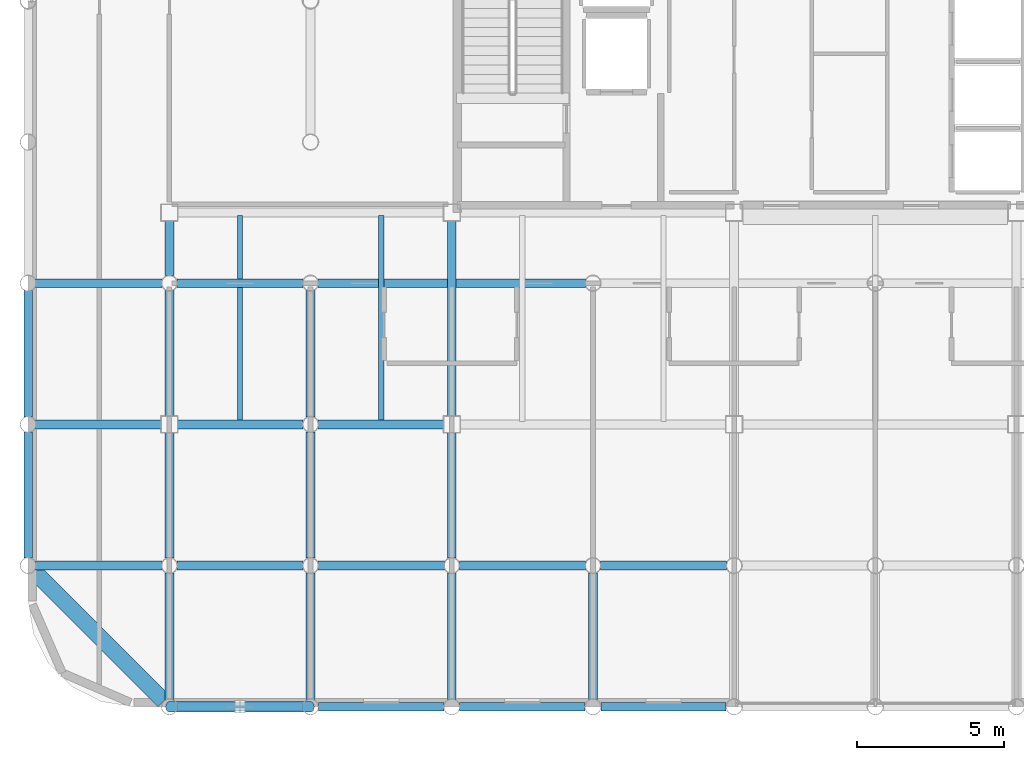
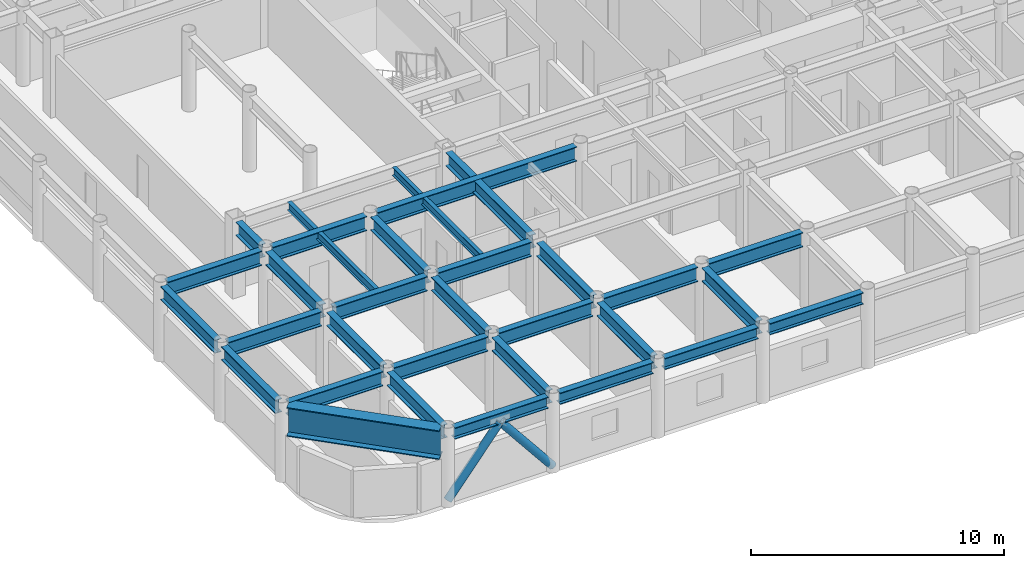
# One storey, part 3 of 22: 31 beams, 2 members.
"""IFC4 building model written with IfcOpenShell, lengths in metres."""

from ifc_helpers import new_model, si_unit, direction, frame, origin, origin_2d, place, context, subcontext, project, spatial, hollow_circle, i_section, extrude, material, material_profile, profile_set, type_object, element, save


model = new_model("IFC4")

# Units and contexts
model_context = context("Model", 3, precision=1e-05, world=origin(), true_north=direction((0.0, 1.0)))
body_context = subcontext(model_context, "Body", "Model", "MODEL_VIEW")
ifc_project = project(units=[si_unit("LENGTHUNIT", "METRE"), si_unit("AREAUNIT", "SQUARE_METRE"), si_unit("VOLUMEUNIT", "CUBIC_METRE"), si_unit("PLANEANGLEUNIT", "RADIAN"), si_unit("MASSUNIT", "GRAM", prefix="KILO")], contexts=[model_context])

# Site, building, storey
site_placement = place(None, origin())
site = spatial("IfcSite", under=ifc_project, at=site_placement, CompositionType="ELEMENT")
building_placement = place(site_placement, origin())
building = spatial("IfcBuilding", under=site, at=building_placement, Name="Kallvorn Hotel Tower", CompositionType="ELEMENT")
storey_placement = place(building_placement, frame((0.0, 0.0, 199.199951171875)))
storey = spatial("IfcBuildingStorey", under=building, at=storey_placement, Name="L49", CompositionType="ELEMENT", Elevation=199.199951171875)

# Beams
ifc_material_1 = material(Name="Structural steel S355JR", Category="steel")
ifc_material_profile_1 = material_profile(ifc_material_1, i_section(OverallWidth=0.300048828125, OverallDepth=0.550048828125, WebThickness=0.014892578125, FlangeThickness=0.029052734375, at=origin_2d()), Name="HE 550 B")
ifc_profile_set_1 = profile_set([ifc_material_profile_1], Name="Structural steel S355JR")
beam_type_1 = type_object("IfcBeamType", Name="BM_HE550B", PredefinedType="SPANDREL", material=ifc_profile_set_1)
for number, where, z_axis, x_axis, name in (
    (1, (-23.73046875, -24.0, 3.39501953125), (1.0, 0.0, 0.0), (0.0, 1.0, 0.0), "L50 Perimeter Spandrel 151"),
    (2, (-18.930419921875, -24.0, 3.39501953125), (1.0, 0.0, 0.0), (0.0, 1.0, 0.0), "L50 Perimeter Spandrel 152"),
):
    element("IfcBeam", number, at=place(storey_placement, frame(where, z_axis=z_axis, x_axis=x_axis)), inside=storey, type_object=beam_type_1, Name=name, PredefinedType="SPANDREL", context=body_context, shape_type="SweptSolid", body=[
        extrude(i_section(OverallWidth=0.300048828125, OverallDepth=0.550048828125, WebThickness=0.014892578125, FlangeThickness=0.029052734375, at=origin_2d()), origin(), (0.0, 0.0, 1.0), 4.260986328125),
    ])
beam_1_placement = place(storey_placement, frame((-14.130615234375, -24.0, 3.39501953125), z_axis=(1.0, 0.0, 0.0), x_axis=(0.0, 1.0, 0.0)))
element("IfcBeam", 3, at=beam_1_placement, inside=storey, type_object=beam_type_1, Name="L50 Perimeter Spandrel 153", PredefinedType="SPANDREL", context=body_context, shape_type="SweptSolid", body=[
    extrude(i_section(OverallWidth=0.300048828125, OverallDepth=0.550048828125, WebThickness=0.014892578125, FlangeThickness=0.029052734375, at=origin_2d()), origin(), (0.0, 0.0, 1.0), 4.26123046875),
])
beam_2_placement = place(storey_placement, frame((-9.33056640625, -24.0, 3.39501953125), z_axis=(1.0, 0.0, 0.0), x_axis=(0.0, 1.0, 0.0)))
element("IfcBeam", 4, at=beam_2_placement, inside=storey, type_object=beam_type_1, Name="L50 Perimeter Spandrel 154", PredefinedType="SPANDREL", context=body_context, shape_type="SweptSolid", body=[
    extrude(i_section(OverallWidth=0.300048828125, OverallDepth=0.550048828125, WebThickness=0.014892578125, FlangeThickness=0.029052734375, at=origin_2d()), origin(), (0.0, 0.0, 1.0), 4.260986328125),
])
ifc_material_2 = material(Name="Structural steel S355JR", Category="steel")
ifc_material_profile_2 = material_profile(ifc_material_2, i_section(OverallWidth=0.300048828125, OverallDepth=0.64990234375, WebThickness=0.01611328125, FlangeThickness=0.031005859375, at=origin_2d()), Name="HE 650 B")
ifc_profile_set_2 = profile_set([ifc_material_profile_2], Name="Structural steel S355JR")
beam_type_2 = type_object("IfcBeamType", Name="BM_HE650B", PredefinedType="BEAM", material=ifc_profile_set_2)
for number, where, z_axis, x_axis, name in (
    (5, (-28.800048828125, -18.945556640625, 3.344970703125), (0.0, 1.0, 0.0), (-1.0, 0.0, 0.0), "L50 Primary Y-Girder 73"),
    (6, (-28.800048828125, -14.1455078125, 3.344970703125), (0.0, 1.0, 0.0), (-1.0, 0.0, 0.0), "L50 Primary Y-Girder 74"),
    (7, (-24.0, -23.74560546875, 3.344970703125), (0.0, 1.0, 0.0), (-1.0, 0.0, 0.0), "L50 Primary Y-Girder 81"),
):
    element("IfcBeam", number, at=place(storey_placement, frame(where, z_axis=z_axis, x_axis=x_axis)), inside=storey, type_object=beam_type_2, Name=name, PredefinedType="BEAM", context=body_context, shape_type="SweptSolid", body=[
        extrude(i_section(OverallWidth=0.300048828125, OverallDepth=0.64990234375, WebThickness=0.01611328125, FlangeThickness=0.031005859375, at=origin_2d()), origin(), (0.0, 0.0, 1.0), 4.291015625),
    ])
for number, where, z_axis, x_axis, name in (
    (8, (-24.0, -18.945556640625, 3.344970703125), (0.0, 1.0, 0.0), (-1.0, 0.0, 0.0), "L50 Primary Y-Girder 82"),
    (9, (-24.0, -14.125, 3.344970703125), (0.0, 1.0, 0.0), (-1.0, 0.0, 0.0), "L50 Primary Y-Girder 83"),
):
    element("IfcBeam", number, at=place(storey_placement, frame(where, z_axis=z_axis, x_axis=x_axis)), inside=storey, type_object=beam_type_2, Name=name, PredefinedType="BEAM", context=body_context, shape_type="SweptSolid", body=[
        extrude(i_section(OverallWidth=0.300048828125, OverallDepth=0.64990234375, WebThickness=0.01611328125, FlangeThickness=0.031005859375, at=origin_2d()), origin(), (0.0, 0.0, 1.0), 4.2705078125),
    ])
beam_3_placement = place(storey_placement, frame((-24.0, -9.345458984375, 3.344970703125), z_axis=(0.0, 1.0, 0.0), x_axis=(-1.0, 0.0, 0.0)))
element("IfcBeam", 10, at=beam_3_placement, inside=storey, type_object=beam_type_2, Name="L50 Primary Y-Girder 84", PredefinedType="BEAM", context=body_context, shape_type="SweptSolid", body=[
    extrude(i_section(OverallWidth=0.300048828125, OverallDepth=0.64990234375, WebThickness=0.01611328125, FlangeThickness=0.031005859375, at=origin_2d()), origin(), (0.0, 0.0, 1.0), 1.870361328125),
])
for number, where, z_axis, x_axis, name in (
    (11, (-19.199951171875, -23.74560546875, 3.344970703125), (0.0, 1.0, 0.0), (-1.0, 0.0, 0.0), "L50 Primary Y-Girder 88"),
    (12, (-19.199951171875, -18.945556640625, 3.344970703125), (0.0, 1.0, 0.0), (-1.0, 0.0, 0.0), "L50 Primary Y-Girder 89"),
    (13, (-19.199951171875, -14.1455078125, 3.344970703125), (0.0, 1.0, 0.0), (-1.0, 0.0, 0.0), "L50 Primary Y-Girder 90"),
    (14, (-14.39990234375, -23.74560546875, 3.344970703125), (0.0, 1.0, 0.0), (-1.0, 0.0, 0.0), "L50 Primary Y-Girder 97"),
):
    element("IfcBeam", number, at=place(storey_placement, frame(where, z_axis=z_axis, x_axis=x_axis)), inside=storey, type_object=beam_type_2, Name=name, PredefinedType="BEAM", context=body_context, shape_type="SweptSolid", body=[
        extrude(i_section(OverallWidth=0.300048828125, OverallDepth=0.64990234375, WebThickness=0.01611328125, FlangeThickness=0.031005859375, at=origin_2d()), origin(), (0.0, 0.0, 1.0), 4.291015625),
    ])
beam_4_placement = place(storey_placement, frame((-14.39990234375, -18.945556640625, 3.344970703125), z_axis=(0.0, 1.0, 0.0), x_axis=(-1.0, 0.0, 0.0)))
element("IfcBeam", 15, at=beam_4_placement, inside=storey, type_object=beam_type_2, Name="L50 Primary Y-Girder 98", PredefinedType="BEAM", context=body_context, shape_type="SweptSolid", body=[
    extrude(i_section(OverallWidth=0.300048828125, OverallDepth=0.64990234375, WebThickness=0.01611328125, FlangeThickness=0.031005859375, at=origin_2d()), origin(), (0.0, 0.0, 1.0), 4.2705078125),
])
beam_5_placement = place(storey_placement, frame((-14.39990234375, -14.125, 3.344970703125), z_axis=(0.0, 1.0, 0.0), x_axis=(-1.0, 0.0, 0.0)))
element("IfcBeam", 16, at=beam_5_placement, inside=storey, type_object=beam_type_2, Name="L50 Primary Y-Girder 99", PredefinedType="BEAM", context=body_context, shape_type="SweptSolid", body=[
    extrude(i_section(OverallWidth=0.300048828125, OverallDepth=0.64990234375, WebThickness=0.01611328125, FlangeThickness=0.031005859375, at=origin_2d()), origin(), (0.0, 0.0, 1.0), 6.64990234375),
])
beam_6_placement = place(storey_placement, frame((-9.60009765625, -23.74560546875, 3.344970703125), z_axis=(0.0, 1.0, 0.0), x_axis=(-1.0, 0.0, 0.0)))
element("IfcBeam", 17, at=beam_6_placement, inside=storey, type_object=beam_type_2, Name="L50 Primary Y-Girder 102", PredefinedType="BEAM", context=body_context, shape_type="SweptSolid", body=[
    extrude(i_section(OverallWidth=0.300048828125, OverallDepth=0.64990234375, WebThickness=0.01611328125, FlangeThickness=0.031005859375, at=origin_2d()), origin(), (0.0, 0.0, 1.0), 4.291015625),
])
ifc_material_3 = material(Name="Structural steel S355JR", Category="steel")
ifc_material_profile_3 = material_profile(ifc_material_3, i_section(OverallWidth=0.300048828125, OverallDepth=0.699951171875, WebThickness=0.01708984375, FlangeThickness=0.031982421875, at=origin_2d()), Name="HE 700 B")
ifc_profile_set_3 = profile_set([ifc_material_profile_3], Name="Structural steel S355JR")
beam_type_3 = type_object("IfcBeamType", Name="BM_HE700B", PredefinedType="BEAM", material=ifc_profile_set_3)
for number, where, z_axis, x_axis, name in (
    (18, (-28.54541015625, -19.199951171875, 3.320068359375), (1.0, 0.0, 0.0), (0.0, 1.0, 0.0), "L50 Primary X-Girder 01"),
    (19, (-23.74560546875, -19.199951171875, 3.320068359375), (1.0, 0.0, 0.0), (0.0, 1.0, 0.0), "L50 Primary X-Girder 02"),
    (20, (-18.945556640625, -19.199951171875, 3.320068359375), (1.0, 0.0, 0.0), (0.0, 1.0, 0.0), "L50 Primary X-Girder 03"),
    (21, (-14.1455078125, -19.199951171875, 3.320068359375), (1.0, 0.0, 0.0), (0.0, 1.0, 0.0), "L50 Primary X-Girder 04"),
    (22, (-9.345458984375, -19.199951171875, 3.320068359375), (1.0, 0.0, 0.0), (0.0, 1.0, 0.0), "L50 Primary X-Girder 05"),
):
    element("IfcBeam", number, at=place(storey_placement, frame(where, z_axis=z_axis, x_axis=x_axis)), inside=storey, type_object=beam_type_3, Name=name, PredefinedType="BEAM", context=body_context, shape_type="SweptSolid", body=[
        extrude(i_section(OverallWidth=0.300048828125, OverallDepth=0.699951171875, WebThickness=0.01708984375, FlangeThickness=0.031982421875, at=origin_2d()), origin(), (0.0, 0.0, 1.0), 4.291015625),
    ])
for number, where, z_axis, x_axis, name in (
    (23, (-28.54541015625, -14.39990234375, 3.320068359375), (1.0, 0.0, 0.0), (0.0, 1.0, 0.0), "L50 Primary X-Girder 14"),
    (24, (-23.72509765625, -14.39990234375, 3.320068359375), (1.0, 0.0, 0.0), (0.0, 1.0, 0.0), "L50 Primary X-Girder 15"),
    (25, (-18.945556640625, -14.39990234375, 3.320068359375), (1.0, 0.0, 0.0), (0.0, 1.0, 0.0), "L50 Primary X-Girder 16"),
):
    element("IfcBeam", number, at=place(storey_placement, frame(where, z_axis=z_axis, x_axis=x_axis)), inside=storey, type_object=beam_type_3, Name=name, PredefinedType="BEAM", context=body_context, shape_type="SweptSolid", body=[
        extrude(i_section(OverallWidth=0.300048828125, OverallDepth=0.699951171875, WebThickness=0.01708984375, FlangeThickness=0.031982421875, at=origin_2d()), origin(), (0.0, 0.0, 1.0), 4.2705078125),
    ])
for number, where, z_axis, x_axis, name in (
    (26, (-28.54541015625, -9.60009765625, 3.320068359375), (1.0, 0.0, 0.0), (0.0, 1.0, 0.0), "L50 Primary X-Girder 24"),
    (27, (-23.74560546875, -9.60009765625, 3.320068359375), (1.0, 0.0, 0.0), (0.0, 1.0, 0.0), "L50 Primary X-Girder 25"),
):
    element("IfcBeam", number, at=place(storey_placement, frame(where, z_axis=z_axis, x_axis=x_axis)), inside=storey, type_object=beam_type_3, Name=name, PredefinedType="BEAM", context=body_context, shape_type="SweptSolid", body=[
        extrude(i_section(OverallWidth=0.300048828125, OverallDepth=0.699951171875, WebThickness=0.01708984375, FlangeThickness=0.031982421875, at=origin_2d()), origin(), (0.0, 0.0, 1.0), 4.291015625),
    ])
beam_7_placement = place(storey_placement, frame((-18.945556640625, -9.60009765625, 3.320068359375), z_axis=(1.0, 0.0, 0.0), x_axis=(0.0, 1.0, 0.0)))
element("IfcBeam", 28, at=beam_7_placement, inside=storey, type_object=beam_type_3, Name="L50 Primary X-Girder 26", PredefinedType="BEAM", context=body_context, shape_type="SweptSolid", body=[
    extrude(i_section(OverallWidth=0.300048828125, OverallDepth=0.699951171875, WebThickness=0.01708984375, FlangeThickness=0.031982421875, at=origin_2d()), origin(), (0.0, 0.0, 1.0), 9.091064453125),
])
ifc_material_4 = material(Name="Structural steel S355JR", Category="steel")
ifc_material_profile_4 = material_profile(ifc_material_4, i_section(OverallWidth=0.179931640625, OverallDepth=0.39990234375, WebThickness=0.008544921875, FlangeThickness=0.013427734375, at=origin_2d()), Name="IPE 400")
ifc_profile_set_4 = profile_set([ifc_material_profile_4], Name="Structural steel S355JR")
beam_type_4 = type_object("IfcBeamType", Name="BM_IPE400", PredefinedType="JOIST", material=ifc_profile_set_4)
for number, where, z_axis, x_axis, name in (
    (29, (-21.60009765625, -14.300048828125, 3.469970703125), (0.0, 1.0, 0.0), (-1.0, 0.0, 0.0), "L50 Secondary Composite Joist 192"),
    (30, (-16.800048828125, -14.300048828125, 3.469970703125), (0.0, 1.0, 0.0), (-1.0, 0.0, 0.0), "L50 Secondary Composite Joist 194"),
):
    element("IfcBeam", number, at=place(storey_placement, frame(where, z_axis=z_axis, x_axis=x_axis)), inside=storey, type_object=beam_type_4, Name=name, PredefinedType="JOIST", context=body_context, shape_type="SweptSolid", body=[
        extrude(i_section(OverallWidth=0.179931640625, OverallDepth=0.39990234375, WebThickness=0.008544921875, FlangeThickness=0.013427734375, at=origin_2d()), origin(), (0.0, 0.0, 1.0), 7.0),
    ])
ifc_material_5 = material(Name="Structural steel S355JR", Category="steel")
ifc_material_profile_5 = material_profile(ifc_material_5, i_section(OverallWidth=0.550048828125, OverallDepth=1.39990234375, WebThickness=0.02490234375, FlangeThickness=0.044921875, at=origin_2d()), Name="PG 1400x550x25x45")
ifc_profile_set_5 = profile_set([ifc_material_profile_5], Name="Structural steel S355JR")
beam_type_5 = type_object("IfcBeamType", Name="BM_PG_1400", PredefinedType="BEAM", material=ifc_profile_set_5)
beam_8_placement = place(storey_placement, frame((-28.609375, -19.390625, 2.969970703125), z_axis=(0.707106781187, -0.707106781187, 0.0), x_axis=(0.707106781187, 0.707106781187, 0.0)))
element("IfcBeam", 31, at=beam_8_placement, inside=storey, type_object=beam_type_5, Name="L50 Rounded Corner Tie Beam 189", PredefinedType="BEAM", context=body_context, shape_type="SweptSolid", body=[
    extrude(i_section(OverallWidth=0.550048828125, OverallDepth=1.39990234375, WebThickness=0.02490234375, FlangeThickness=0.044921875, at=origin_2d()), origin(), (0.0, 0.0, 1.0), 6.2490234375),
])

# Members
ifc_material_6 = material(Name="Structural steel S355J2H", Category="steel")
ifc_material_profile_6 = material_profile(ifc_material_6, hollow_circle(Radius=0.177734375, WallThickness=0.01416015625, at=origin_2d()), Name="CHS 355.6x14.2")
ifc_profile_set_6 = profile_set([ifc_material_profile_6], Name="Structural steel S355J2H")
member_type = type_object("IfcMemberType", Name="MBR_EXO_CHS355", PredefinedType="BRACE", material=ifc_profile_set_6)
for number, where, z_axis, x_axis, name in (
    (32, (-23.987548828125, -24.0, 0.195556640625), (0.627239379498, 0.0, 0.778826528058), (0.0, 1.0, 0.0), "L49 Exoskeleton K-Brace S1A"),
    (33, (-19.21240234375, -24.0, 0.195556640625), (-0.627239379498, 0.0, 0.778826528058), (0.0, -1.0, 0.0), "L49 Exoskeleton K-Brace S1B"),
):
    element("IfcMember", number, at=place(storey_placement, frame(where, z_axis=z_axis, x_axis=x_axis)), inside=storey, type_object=member_type, Name=name, PredefinedType="BRACE", context=body_context, shape_type="SweptSolid", body=[
        extrude(hollow_circle(Radius=0.177734375, WallThickness=0.01416015625, at=origin_2d()), origin(), (0.0, 0.0, 1.0), 3.786376953125),
    ])

save(model, "model.ifc")
